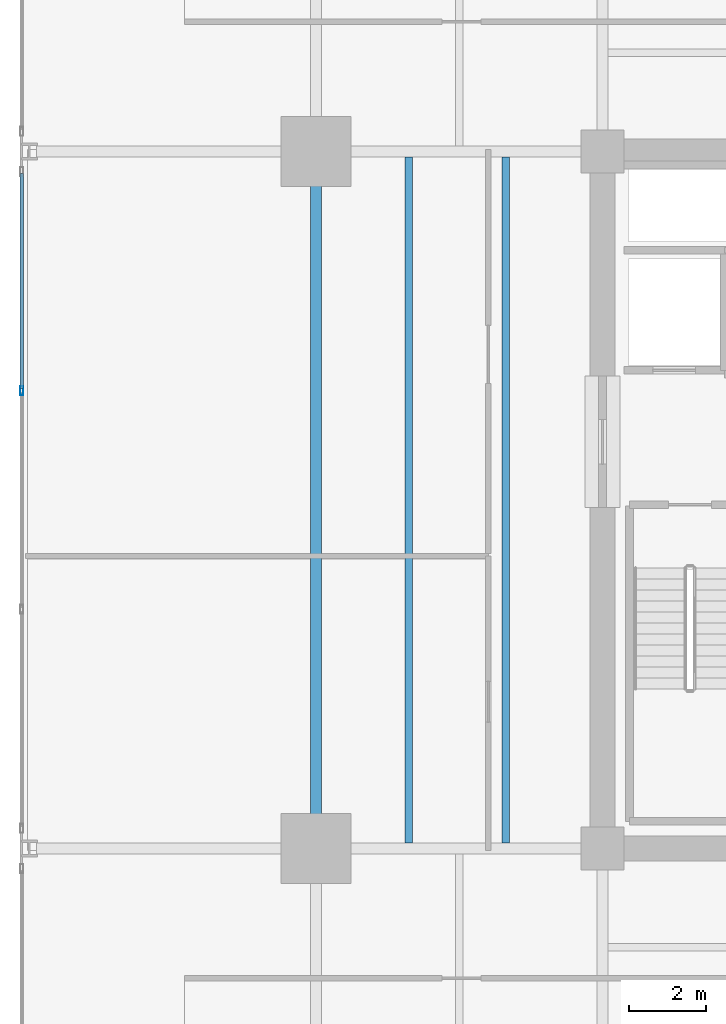
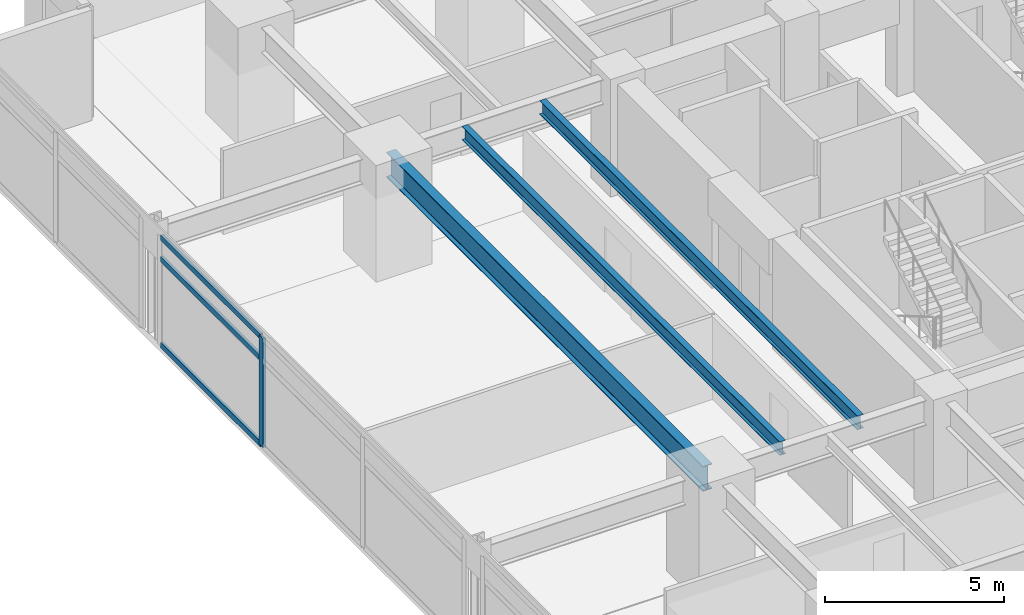
# One storey, part 6 of 25: 4 members, 3 beams, 1 element without a shape of its own.
"""IFC4 building model written with IfcOpenShell, lengths in metres."""

from ifc_helpers import new_model, si_unit, direction, frame, origin, origin_2d, place, context, subcontext, project, spatial, hollow_rectangle, i_section, extrude, material, material_profile, profile_set, type_object, element, aggregate, save


model = new_model("IFC4")

# Units and contexts
model_context = context("Model", 3, precision=1e-05, world=origin(), true_north=direction((0.0, 1.0)))
body_context = subcontext(model_context, "Body", "Model", "MODEL_VIEW")
ifc_project = project(units=[si_unit("LENGTHUNIT", "METRE"), si_unit("AREAUNIT", "SQUARE_METRE"), si_unit("VOLUMEUNIT", "CUBIC_METRE"), si_unit("PLANEANGLEUNIT", "RADIAN"), si_unit("MASSUNIT", "GRAM", prefix="KILO")], contexts=[model_context])

# Site, building, storey
site_placement = place(None, origin())
site = spatial("IfcSite", under=ifc_project, at=site_placement, CompositionType="ELEMENT")
building_placement = place(site_placement, origin())
building = spatial("IfcBuilding", under=site, at=building_placement, Name="Kovane Verandah Tower", CompositionType="ELEMENT")
storey_placement = place(building_placement, frame((0.0, 0.0, 67.60009765625)))
storey = spatial("IfcBuildingStorey", under=building, at=storey_placement, Name="L15", CompositionType="ELEMENT", Elevation=67.60009765625)

# Beam
ifc_material_1 = material(Name="Steel S355", Category="steel")
ifc_material_profile_1 = material_profile(ifc_material_1, i_section(OverallWidth=0.293701171875, OverallDepth=0.850830078125, WebThickness=0.01611328125, FlangeThickness=0.02685546875, FilletRadius=0.017822265625, at=origin_2d()), Name="UB838x292x226")
ifc_profile_set_1 = profile_set([ifc_material_profile_1], Name="Steel S355")
beam_type_1 = type_object("IfcBeamType", Name="BM-UB838x226", PredefinedType="BEAM", material=ifc_profile_set_1)
beam_placement = place(storey_placement, frame((21.60009765625, 18.679931640625, 3.33447265625), z_axis=(0.0, 1.0, 0.0), x_axis=(-1.0, 0.0, 0.0)))
element("IfcBeam", 1, at=beam_placement, inside=storey, type_object=beam_type_1, Name="L15 Primary Tower Girder G-RW2", PredefinedType="BEAM", context=body_context, shape_type="SweptSolid", body=[
    extrude(i_section(OverallWidth=0.293701171875, OverallDepth=0.850830078125, WebThickness=0.01611328125, FlangeThickness=0.02685546875, FilletRadius=0.017822265625, at=origin_2d()), origin(), (0.0, 0.0, 1.0), 17.64013671875),
])

# Curtain wall, members
ifc_material_2 = material(Name="Champagne Anodised Aluminium Frame with Low-E Clear Laminated Glass", Category="aluminium")
curtain_wall_type = type_object("IfcCurtainWallType", Name="CW-SYS-02-LOW", PredefinedType="NOTDEFINED", material=ifc_material_2)
curtain_wall_placement = place(storey_placement, origin())
curtain_wall = element("IfcCurtainWall", 2, at=curtain_wall_placement, inside=storey, type_object=curtain_wall_type, Name="L15 W Unitised Curtain Wall-2", PredefinedType="NOTDEFINED")
ifc_material_3 = material(Name="Champagne Anodised Aluminium 6063-T6", Category="aluminium")
ifc_material_profile_2 = material_profile(ifc_material_3, hollow_rectangle(XDim=0.0849609375, YDim=0.22998046875, WallThickness=0.00390625, at=origin_2d()), Name="AL85x230x4")
ifc_profile_set_2 = profile_set([ifc_material_profile_2], Name="Champagne Anodised Aluminium 6063-T6")
member_type_1 = type_object("IfcMemberType", Name="CW-MUL-85x230", PredefinedType="MULLION", material=ifc_profile_set_2)
member_1_placement = place(storey_placement, frame((13.998779296875, 30.32666015625, 0.02001953125), z_axis=(0.0, 0.0, 1.0), x_axis=(-1.0, 0.0, 0.0)))
member_1 = element("IfcMember", 3, at=member_1_placement, type_object=member_type_1, Name="L15 W Unitised Curtain Wall-2 Mullion 2", PredefinedType="MULLION", context=body_context, shape_type="SweptSolid", body=[
    extrude(hollow_rectangle(XDim=0.0849609375, YDim=0.22998046875, WallThickness=0.00390625, at=origin_2d()), origin(), (0.0, 0.0, 1.0), 3.719970703125),
])
ifc_material_profile_3 = material_profile(ifc_material_3, hollow_rectangle(XDim=0.0849609375, YDim=0.18994140625, WallThickness=0.00390625, at=origin_2d()), Name="AL85x190x4")
ifc_profile_set_3 = profile_set([ifc_material_profile_3], Name="Champagne Anodised Aluminium 6063-T6")
member_type_2 = type_object("IfcMemberType", Name="CW-TRN-85x190", PredefinedType="USERDEFINED", material=ifc_profile_set_3)
member_2_placement = place(storey_placement, frame((13.998779296875, 35.929931640625, 0.0498046875), z_axis=(0.0, -1.0, 0.0), x_axis=(1.0, 0.0, 0.0)))
member_2 = element("IfcMember", 4, at=member_2_placement, type_object=member_type_2, Name="L15 W Unitised Curtain Wall-2 Transom TB Bay 1", ObjectType="TRANSOM", PredefinedType="USERDEFINED", context=body_context, shape_type="SweptSolid", body=[
    extrude(hollow_rectangle(XDim=0.0849609375, YDim=0.18994140625, WallThickness=0.00390625, at=origin_2d()), origin(), (0.0, 0.0, 1.0), 5.55322265625),
])
member_3_placement = place(storey_placement, frame((13.998779296875, 35.929931640625, 2.97998046875), z_axis=(0.0, -1.0, 0.0), x_axis=(1.0, 0.0, 0.0)))
member_3 = element("IfcMember", 5, at=member_3_placement, type_object=member_type_2, Name="L15 W Unitised Curtain Wall-2 Transom TM Bay 1", ObjectType="TRANSOM", PredefinedType="USERDEFINED", context=body_context, shape_type="SweptSolid", body=[
    extrude(hollow_rectangle(XDim=0.0849609375, YDim=0.18994140625, WallThickness=0.00390625, at=origin_2d()), origin(), (0.0, 0.0, 1.0), 5.55322265625),
])
member_4_placement = place(storey_placement, frame((13.998779296875, 35.929931640625, 3.7099609375), z_axis=(0.0, -1.0, 0.0), x_axis=(1.0, 0.0, 0.0)))
member_4 = element("IfcMember", 6, at=member_4_placement, type_object=member_type_2, Name="L15 W Unitised Curtain Wall-2 Transom TT Bay 1", ObjectType="TRANSOM", PredefinedType="USERDEFINED", context=body_context, shape_type="SweptSolid", body=[
    extrude(hollow_rectangle(XDim=0.0849609375, YDim=0.18994140625, WallThickness=0.00390625, at=origin_2d()), origin(), (0.0, 0.0, 1.0), 5.55322265625),
])
aggregate(curtain_wall, [member_1, member_2, member_3, member_4])

# Beams
ifc_material_profile_4 = material_profile(ifc_material_1, i_section(OverallWidth=0.19287109375, OverallDepth=0.46728515625, WebThickness=0.011474609375, FlangeThickness=0.01953125, FilletRadius=0.01025390625, at=origin_2d()), Name="UB457x191x98")
ifc_profile_set_4 = profile_set([ifc_material_profile_4], Name="Steel S355")
beam_type_2 = type_object("IfcBeamType", Name="JST-UB457x98", PredefinedType="JOIST", material=ifc_profile_set_4)
for number, where, z_axis, x_axis, name in (
    (7, (24.0, 18.64501953125, 3.5263671875), (0.0, 1.0, 0.0), (-1.0, 0.0, 0.0), "L15 Secondary Composite Joist J-W1"),
    (8, (26.5, 18.64501953125, 3.5263671875), (0.0, 1.0, 0.0), (-1.0, 0.0, 0.0), "L15 Secondary Composite Joist J-W2"),
):
    element("IfcBeam", number, at=place(storey_placement, frame(where, z_axis=z_axis, x_axis=x_axis)), inside=storey, type_object=beam_type_2, Name=name, PredefinedType="JOIST", context=body_context, shape_type="SweptSolid", body=[
        extrude(i_section(OverallWidth=0.19287109375, OverallDepth=0.46728515625, WebThickness=0.011474609375, FlangeThickness=0.01953125, FilletRadius=0.01025390625, at=origin_2d()), origin(), (0.0, 0.0, 1.0), 17.7099609375),
    ])

save(model, "model.ifc")
